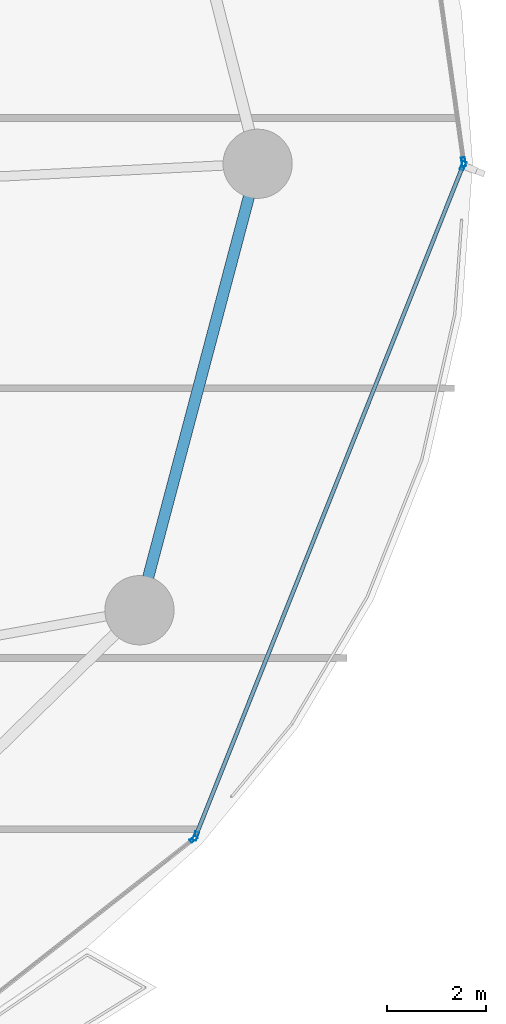
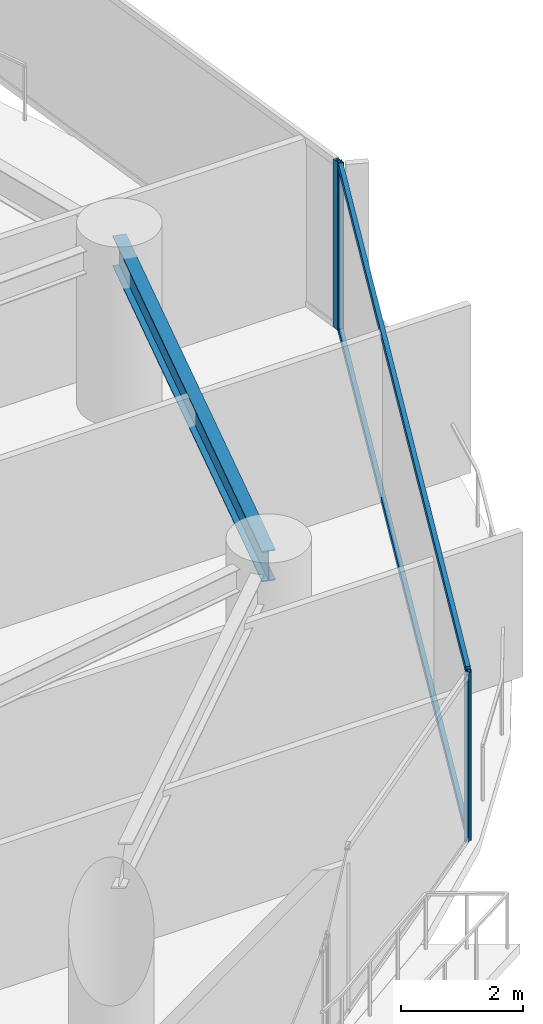
# One storey, part 22 of 31: 6 members, 1 beam, 3 elements without a shape of their own.
"""IFC4 building model written with IfcOpenShell, lengths in metres."""

from ifc_helpers import new_model, si_unit, direction, frame, origin, origin_2d, place, context, subcontext, project, spatial, hollow_rectangle, i_section, extrude, material, layer, layer_set, material_profile, profile_set, type_object, element, aggregate, save


model = new_model("IFC4")

# Units and contexts
model_context = context("Model", 3, precision=1e-05, world=origin(), true_north=direction((0.0, 1.0)))
body_context = subcontext(model_context, "Body", "Model", "MODEL_VIEW")
ifc_project = project(units=[si_unit("LENGTHUNIT", "METRE"), si_unit("AREAUNIT", "SQUARE_METRE"), si_unit("VOLUMEUNIT", "CUBIC_METRE"), si_unit("PLANEANGLEUNIT", "RADIAN"), si_unit("MASSUNIT", "GRAM", prefix="KILO")], contexts=[model_context])

# Site, building, storey
site_placement = place(None, origin())
site = spatial("IfcSite", under=ifc_project, at=site_placement, CompositionType="ELEMENT")
building_placement = place(site_placement, origin())
building = spatial("IfcBuilding", under=site, at=building_placement, Name="Kazevale Care Tower and Concert Hall", CompositionType="ELEMENT")
storey_placement = place(building_placement, frame((0.0, 0.0, 60.0)))
storey = spatial("IfcBuildingStorey", under=building, at=storey_placement, Name="L15", CompositionType="ELEMENT", Elevation=60.0)

# Curtain wall, members
ifc_material_1 = material(Name="Aluminium 6063-T6 and Low-E Glass", Category="aluminium")
ifc_layer_1 = layer(ifc_material_1, 0.179931640625)
ifc_layer_set_1 = layer_set([ifc_layer_1], Name="Aluminium 6063-T6 and Low-E Glass")
curtain_wall_type_1 = type_object("IfcCurtainWallType", Name="Waist & Upper Residential Curtain Wall CW-4", PredefinedType="NOTDEFINED", material=ifc_layer_set_1)
curtain_wall_1_placement = place(storey_placement, origin())
curtain_wall_1 = element("IfcCurtainWall", 1, at=curtain_wall_1_placement, inside=storey, type_object=curtain_wall_type_1, Name="cw:L15:f01", PredefinedType="NOTDEFINED")
ifc_material_2 = material(Name="Aluminium 6063-T6", Category="aluminium")
ifc_material_profile_1 = material_profile(ifc_material_2, hollow_rectangle(XDim=0.080078125, YDim=0.179931640625, WallThickness=0.0048828125, at=origin_2d()), Name="ALU80x180x5")
ifc_profile_set_1 = profile_set([ifc_material_profile_1], Name="Aluminium 6063-T6")
member_type_1 = type_object("IfcMemberType", Name="CW-4 Mullion ALU80x180x5", PredefinedType="MULLION", material=ifc_profile_set_1)
member_1_placement = place(storey_placement, frame((80.605224609375, 37.962890625, 0.0), z_axis=(0.0, 0.0, 1.0), x_axis=(0.928861412274, -0.370427424456, 0.0)))
member_1 = element("IfcMember", 2, at=member_1_placement, type_object=member_type_1, Name="CW-4 mullion 1", PredefinedType="MULLION", context=body_context, shape_type="SweptSolid", body=[
    extrude(hollow_rectangle(XDim=0.080078125, YDim=0.179931640625, WallThickness=0.0048828125, at=origin_2d()), origin(), (0.0, 0.0, 1.0), 3.360107421875),
])
member_2_placement = place(storey_placement, frame((75.19677734375, 24.401123046875, 0.0), z_axis=(0.0, 0.0, 1.0), x_axis=(0.928861412274, -0.370427424456, 0.0)))
member_2 = element("IfcMember", 3, at=member_2_placement, type_object=member_type_1, Name="CW-4 mullion 2", PredefinedType="MULLION", context=body_context, shape_type="SweptSolid", body=[
    extrude(hollow_rectangle(XDim=0.080078125, YDim=0.179931640625, WallThickness=0.0048828125, at=origin_2d()), origin(), (0.0, 0.0, 1.0), 3.360107421875),
])

# Curtain wall, member
curtain_wall_2_placement = place(storey_placement, origin())
curtain_wall_2 = element("IfcCurtainWall", 4, at=curtain_wall_2_placement, inside=storey, type_object=curtain_wall_type_1, Name="cw:L15:f18", PredefinedType="NOTDEFINED")
member_3_placement = place(storey_placement, frame((80.614501953125, 38.03955078125, 0.0), z_axis=(0.0, 0.0, 1.0), x_axis=(0.990295475282, 0.138977953775, 0.0)))
member_3 = element("IfcMember", 5, at=member_3_placement, type_object=member_type_1, Name="CW-4 mullion 2", PredefinedType="MULLION", context=body_context, shape_type="SweptSolid", body=[
    extrude(hollow_rectangle(XDim=0.080078125, YDim=0.179931640625, WallThickness=0.0048828125, at=origin_2d()), origin(), (0.0, 0.0, 1.0), 3.360107421875),
])
aggregate(curtain_wall_2, [member_3])

# Member
ifc_material_profile_2 = material_profile(ifc_material_2, hollow_rectangle(XDim=0.080078125, YDim=0.139892578125, WallThickness=0.00390625, at=origin_2d()), Name="ALU80x140x4")
ifc_profile_set_2 = profile_set([ifc_material_profile_2], Name="Aluminium 6063-T6")
member_type_2 = type_object("IfcMemberType", Name="CW-4 Transom ALU80x140x4", PredefinedType="USERDEFINED", material=ifc_profile_set_2)
member_4_placement = place(storey_placement, frame((80.59033203125, 37.92578125, 0.0400390625), z_axis=(-0.370419345682, -0.928864634026, 0.0), x_axis=(0.928864634026, -0.370419345682, 0.0)))
member_4 = element("IfcMember", 6, at=member_4_placement, type_object=member_type_2, Name="CW-4 transom 1.1", ObjectType="TRANSOM", PredefinedType="USERDEFINED", context=body_context, shape_type="SweptSolid", body=[
    extrude(hollow_rectangle(XDim=0.080078125, YDim=0.139892578125, WallThickness=0.00390625, at=origin_2d()), origin(), (0.0, 0.0, 1.0), 14.5205078125),
])

member_5_placement = place(storey_placement, frame((80.59033203125, 37.92578125, 3.320068359375), z_axis=(-0.370419345682, -0.928864634026, 0.0), x_axis=(0.928864634026, -0.370419345682, 0.0)))
member_5 = element("IfcMember", 7, at=member_5_placement, type_object=member_type_2, Name="CW-4 transom 1.2", ObjectType="TRANSOM", PredefinedType="USERDEFINED", context=body_context, shape_type="SweptSolid", body=[
    extrude(hollow_rectangle(XDim=0.080078125, YDim=0.139892578125, WallThickness=0.00390625, at=origin_2d()), origin(), (0.0, 0.0, 1.0), 14.5205078125),
])

aggregate(curtain_wall_1, [member_1, member_2, member_4, member_5])

# Curtain wall, member
ifc_layer_2 = layer(ifc_material_1, 0.179931640625)
ifc_layer_set_2 = layer_set([ifc_layer_2], Name="Aluminium 6063-T6 and Low-E Glass")
curtain_wall_type_2 = type_object("IfcCurtainWallType", Name="Sheltered Concave Balcony Curtain Wall CW-5", PredefinedType="NOTDEFINED", material=ifc_layer_set_2)
curtain_wall_3_placement = place(storey_placement, origin())
curtain_wall_3 = element("IfcCurtainWall", 8, at=curtain_wall_3_placement, inside=storey, type_object=curtain_wall_type_2, Name="cw:L15:f02", PredefinedType="NOTDEFINED")
ifc_material_profile_3 = material_profile(ifc_material_2, hollow_rectangle(XDim=0.074951171875, YDim=0.14990234375, WallThickness=0.00390625, at=origin_2d()), Name="ALU75x150x4")
ifc_profile_set_3 = profile_set([ifc_material_profile_3], Name="Aluminium 6063-T6")
member_type_3 = type_object("IfcMemberType", Name="CW-5 Mullion ALU75x150x4", PredefinedType="MULLION", material=ifc_profile_set_3)
member_6_placement = place(storey_placement, frame((75.152587890625, 24.3408203125, 0.0), z_axis=(0.0, 0.0, 1.0), x_axis=(0.617807548814, -0.78632934107, 0.0)))
member_6 = element("IfcMember", 9, at=member_6_placement, type_object=member_type_3, Name="CW-5 mullion 1", PredefinedType="MULLION", context=body_context, shape_type="SweptSolid", body=[
    extrude(hollow_rectangle(XDim=0.074951171875, YDim=0.14990234375, WallThickness=0.00390625, at=origin_2d()), origin(), (0.0, 0.0, 1.0), 3.360107421875),
])
aggregate(curtain_wall_3, [member_6])

# Beam
ifc_material_3 = material(Name="Steel ASTM A572 Gr 50", Category="steel")
ifc_material_profile_4 = material_profile(ifc_material_3, i_section(OverallWidth=0.22900390625, OverallDepth=0.612060546875, WebThickness=0.011962890625, FlangeThickness=0.01953125, at=origin_2d()), Name="W610x125")
ifc_profile_set_4 = profile_set([ifc_material_profile_4], Name="Steel ASTM A572 Gr 50")
beam_type = type_object("IfcBeamType", Name="Ring Spandrel Beam W610x125", PredefinedType="SPANDREL", material=ifc_profile_set_4)
beam_placement = place(storey_placement, frame((74.06005859375, 28.969970703125, 3.053955078125), z_axis=(0.255851611973, 0.966716066201, 0.0), x_axis=(-0.966716066201, 0.255851611973, 0.0)))
element("IfcBeam", 10, at=beam_placement, inside=storey, type_object=beam_type, Name="beam:L15:ring:16", PredefinedType="SPANDREL", context=body_context, shape_type="SweptSolid", body=[
    extrude(i_section(OverallWidth=0.22900390625, OverallDepth=0.612060546875, WebThickness=0.011962890625, FlangeThickness=0.01953125, at=origin_2d()), origin(), (0.0, 0.0, 1.0), 9.3408203125),
])

save(model, "model.ifc")
